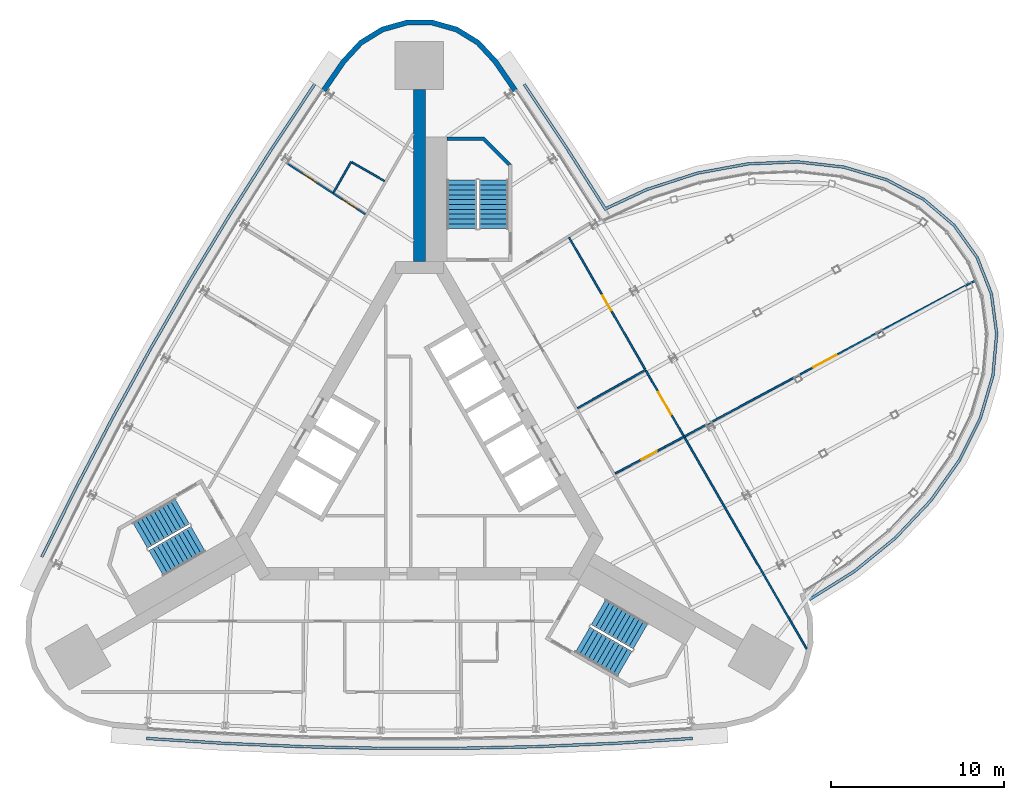
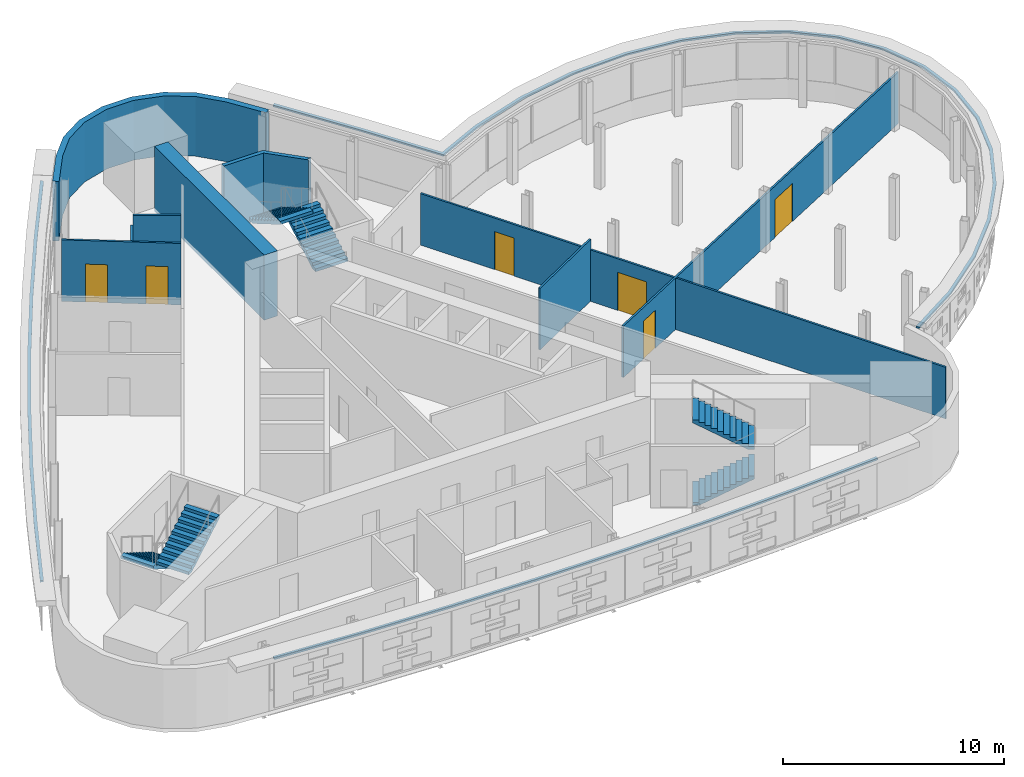
# One storey, part 12 of 15: 11 walls, 6 doors, 6 stair flights, 3 discrete accessories, 6 openings, 3 elements without a shape of their own.
"""IFC4 building model written with IfcOpenShell, lengths in metres."""

from ifc_helpers import new_model, si_unit, direction, frame, frame_2d, origin, place, context, subcontext, project, spatial, polyline, rectangle, outline, extrude, material, layer, layer_set, type_object, element, fill, aggregate, save


model = new_model("IFC4")

# Units and contexts
model_context = context("Model", 3, precision=1e-05, world=origin(), true_north=direction((0.0, 1.0)))
body_context = subcontext(model_context, "Body", "Model", "MODEL_VIEW")
ifc_project = project(units=[si_unit("LENGTHUNIT", "METRE"), si_unit("AREAUNIT", "SQUARE_METRE"), si_unit("VOLUMEUNIT", "CUBIC_METRE"), si_unit("PLANEANGLEUNIT", "RADIAN"), si_unit("MASSUNIT", "GRAM", prefix="KILO")], contexts=[model_context])

# Site, building, storey
site_placement = place(None, origin())
site = spatial("IfcSite", under=ifc_project, at=site_placement, CompositionType="ELEMENT")
building_placement = place(site_placement, origin())
building = spatial("IfcBuilding", under=site, at=building_placement, Name="Noor Cloister Tower", CompositionType="ELEMENT")
storey_placement = place(building_placement, frame((0.0, 0.0, 177.89990234375)))
storey = spatial("IfcBuildingStorey", under=building, at=storey_placement, Name="L45", CompositionType="ELEMENT", Elevation=177.89990234375)

# Walls
ifc_material_1 = material(Name="Concrete C70/85", Category="concrete")
ifc_layer_1 = layer(ifc_material_1, 0.699951171875)
ifc_layer_set_1 = layer_set([ifc_layer_1], Name="Buttress wall 700 C70/85")
wall_type_1 = type_object("IfcWallType", Name="Buttress wall 700 C70/85", PredefinedType="SHEAR", material=ifc_layer_set_1)
wall_1_placement = place(storey_placement, frame((0.0, 11.456298828125, -0.199951171875), z_axis=(0.0, 0.0, 1.0), x_axis=(0.0, 1.0, 0.0)))
element("IfcWall", 1, at=wall_1_placement, inside=storey, type_object=wall_type_1, Name="Buttress wall N L45", PredefinedType="SHEAR", context=body_context, shape_type="SweptSolid", body=[
    extrude(rectangle(XDim=9.927734375, YDim=0.699951171875, at=frame_2d((4.9638671875, 0.0))), origin(), (0.0, 0.0, 1.0), 3.60009765625),
])
ifc_material_2 = material(Name="Limestone", Category="masonry")
ifc_layer_2 = layer(ifc_material_2, 0.300048828125)
ifc_layer_set_2 = layer_set([ifc_layer_2], Name="Limestone cladding 300")
wall_type_2 = type_object("IfcWallType", Name="Limestone cladding 300", PredefinedType="NOTDEFINED", material=ifc_layer_set_2)
wall_2_placement = place(storey_placement, origin())
element("IfcWall", 2, at=wall_2_placement, inside=storey, type_object=wall_type_2, Name="Limestone pier cladding L45 3.1", PredefinedType="NOTDEFINED", context=body_context, shape_type="SweptSolid", body=[
    extrude(outline(polyline([(5.65234375, 21.43310546875), (4.496826171875, 23.113037109375), (3.47802734375, 24.2177734375), (2.197509765625, 25.00390625), (0.751220703125, 25.412353515625), (-0.751220703125, 25.412353515625), (-2.197509765625, 25.00390625), (-3.47802734375, 24.2177734375), (-4.496826171875, 23.113037109375), (-5.65234375, 21.43310546875), (-5.405029296875, 21.26318359375), (-4.26171875, 22.925537109375), (-3.28564453125, 23.98388671875), (-2.075927734375, 24.7265625), (-0.709716796875, 25.1123046875), (0.709716796875, 25.1123046875), (2.075927734375, 24.7265625), (3.28564453125, 23.98388671875), (4.26171875, 22.925537109375), (5.405029296875, 21.26318359375), (5.65234375, 21.43310546875)])), origin(), (0.0, 0.0, 1.0), 3.300048828125),
])

# Wall, openings, doors
ifc_material_3 = material(Name="Gypsum board partition on steel studs, 100 mm", Category="steel")
ifc_layer_3 = layer(ifc_material_3, 0.10009765625)
ifc_layer_set_3 = layer_set([ifc_layer_3], Name="Partition 100")
wall_type_3 = type_object("IfcWallType", Name="Partition 100", PredefinedType="PARTITIONING", material=ifc_layer_set_3)
wall_3_placement = place(storey_placement, frame((11.3115234375, -0.785888671875, 0.0), z_axis=(0.0, 0.0, 1.0), x_axis=(0.881471822947, 0.472236620087, 0.0)))
wall_3 = element("IfcWall", 3, at=wall_3_placement, inside=storey, type_object=wall_type_3, Name="Wall L45-W03", PredefinedType="PARTITIONING", context=body_context, shape_type="SweptSolid", body=[
    extrude(rectangle(XDim=23.611328125, YDim=0.10009765625, at=frame_2d((11.8056640625, 0.0))), origin(), (0.0, 0.0, 1.0), 2.84716796875),
])
opening_1_placement = place(wall_3_placement, frame((1.716064453125, 0.0, 0.0)))
opening_1 = element("IfcOpeningElement", 4, at=opening_1_placement, cuts=wall_3, Name="Opening L45-002", PredefinedType="OPENING", context=body_context, shape_type="SweptSolid", body=[
    extrude(rectangle(XDim=1.0, YDim=2.10009765625, at=frame_2d((0.5, 1.050048828125))), frame((0.0, 0.06005859375, 0.0), z_axis=(0.0, -1.0, 0.0), x_axis=(1.0, 0.0, 0.0)), (0.0, 0.0, 1.0), 0.1201171875),
])
opening_2_placement = place(wall_3_placement, frame((13.001953125, 0.0, 0.0)))
opening_2 = element("IfcOpeningElement", 5, at=opening_2_placement, cuts=wall_3, Name="Opening L45-003", PredefinedType="OPENING", context=body_context, shape_type="SweptSolid", body=[
    extrude(rectangle(XDim=1.5, YDim=2.10009765625, at=frame_2d((0.75, 1.050048828125))), frame((0.0, 0.06005859375, 0.0), z_axis=(0.0, -1.0, 0.0), x_axis=(1.0, 0.0, 0.0)), (0.0, 0.0, 1.0), 0.1201171875),
])
ifc_material_4 = material(Name="Timber door leaf with steel frame", Category="steel")
door_type_1 = type_object("IfcDoorType", Name="Double door 1500", OperationType="NOTDEFINED", PredefinedType="DOOR", material=ifc_material_4)
door_1_placement = place(opening_2_placement, origin())
door_1 = element("IfcDoor", 6, at=door_1_placement, inside=storey, type_object=door_type_1, Name="Door L45-003", OperationType="DOUBLE_DOOR_SINGLE_SWING", OverallHeight=2.10009765625, OverallWidth=1.5, PredefinedType="DOOR", context=body_context, shape_type="SweptSolid", body=[
    extrude(rectangle(XDim=1.5, YDim=2.10009765625, at=frame_2d((0.75, 1.050048828125))), frame((0.0, 0.02490234375, 0.0), z_axis=(0.0, -1.0, 0.0), x_axis=(1.0, 0.0, 0.0)), (0.0, 0.0, 1.0), 0.050048828125),
])
fill(opening_2, door_1)
ifc_material_5 = material(Name="Timber door leaf with steel frame", Category="steel")
door_type_2 = type_object("IfcDoorType", Name="Interior door 1000", OperationType="NOTDEFINED", PredefinedType="DOOR", material=ifc_material_5)
door_2_placement = place(opening_1_placement, origin())
door_2 = element("IfcDoor", 7, at=door_2_placement, inside=storey, type_object=door_type_2, Name="Door L45-002", OperationType="SINGLE_SWING_RIGHT", OverallHeight=2.10009765625, OverallWidth=1.0, PredefinedType="DOOR", context=body_context, shape_type="SweptSolid", body=[
    extrude(rectangle(XDim=1.0, YDim=2.10009765625, at=frame_2d((0.5, 1.050048828125))), frame((0.0, 0.02490234375, 0.0), z_axis=(0.0, -1.0, 0.0), x_axis=(1.0, 0.0, 0.0)), (0.0, 0.0, 1.0), 0.050048828125),
])
fill(opening_1, door_2)

# Walls
wall_4_placement = place(storey_placement, frame((9.132568359375, 2.988525390625, 0.0), z_axis=(0.0, 0.0, 1.0), x_axis=(0.871281573597, 0.490783475181, 0.0)))
element("IfcWall", 8, at=wall_4_placement, inside=storey, type_object=wall_type_3, Name="Wall L45-W04", PredefinedType="PARTITIONING", context=body_context, shape_type="SweptSolid", body=[
    extrude(rectangle(XDim=4.5048828125, YDim=0.10009765625, at=frame_2d((2.25244140625, 0.0))), origin(), (0.0, 0.0, 1.0), 3.400146484375),
])
wall_5_placement = place(storey_placement, frame((22.362548828125, -10.9169921875, 0.0), z_axis=(0.0, 0.0, 1.0), x_axis=(-0.500007103281, 0.866021302664, 0.0)))
element("IfcWall", 9, at=wall_5_placement, inside=storey, type_object=wall_type_3, Name="Wall L45-W05", PredefinedType="PARTITIONING", context=body_context, shape_type="SweptSolid", body=[
    extrude(rectangle(XDim=14.106201171875, YDim=0.10009765625, at=frame_2d((7.05322265625, 0.0))), origin(), (0.0, 0.0, 1.0), 2.84716796875),
])

# Wall, opening, door
wall_6_placement = place(storey_placement, frame((15.25927734375, 1.385986328125, 0.0), z_axis=(0.0, 0.0, 1.0), x_axis=(-0.499999150107, 0.86602589447, 0.0)))
wall_6 = element("IfcWall", 10, at=wall_6_placement, inside=storey, type_object=wall_type_3, Name="Wall L45-W06", PredefinedType="PARTITIONING", context=body_context, shape_type="SweptSolid", body=[
    extrude(rectangle(XDim=4.353515625, YDim=0.10009765625, at=frame_2d((2.1767578125, 0.0))), origin(), (0.0, 0.0, 1.0), 2.84716796875),
])
opening_3_placement = place(wall_6_placement, frame((1.4267578125, 0.0, 0.0)))
opening_3 = element("IfcOpeningElement", 11, at=opening_3_placement, cuts=wall_6, Name="Opening L45-004", PredefinedType="OPENING", context=body_context, shape_type="SweptSolid", body=[
    extrude(rectangle(XDim=1.5, YDim=2.10009765625, at=frame_2d((0.75, 1.050048828125))), frame((0.0, 0.06005859375, 0.0), z_axis=(0.0, -1.0, 0.0), x_axis=(1.0, 0.0, 0.0)), (0.0, 0.0, 1.0), 0.1201171875),
])
door_3_placement = place(opening_3_placement, origin())
door_3 = element("IfcDoor", 12, at=door_3_placement, inside=storey, type_object=door_type_1, Name="Door L45-004", OperationType="DOUBLE_DOOR_SINGLE_SWING", OverallHeight=2.10009765625, OverallWidth=1.5, PredefinedType="DOOR", context=body_context, shape_type="SweptSolid", body=[
    extrude(rectangle(XDim=1.5, YDim=2.10009765625, at=frame_2d((0.75, 1.050048828125))), frame((0.0, 0.02490234375, 0.0), z_axis=(0.0, -1.0, 0.0), x_axis=(1.0, 0.0, 0.0)), (0.0, 0.0, 1.0), 0.050048828125),
])
fill(opening_3, door_3)

wall_7_placement = place(storey_placement, frame((13.032470703125, 5.242919921875, 0.0), z_axis=(0.0, 0.0, 1.0), x_axis=(-0.499996840937, 0.866027227663, 0.0)))
wall_7 = element("IfcWall", 13, at=wall_7_placement, inside=storey, type_object=wall_type_3, Name="Wall L45-W07", PredefinedType="PARTITIONING", context=body_context, shape_type="SweptSolid", body=[
    extrude(rectangle(XDim=8.7802734375, YDim=0.10009765625, at=frame_2d((4.39013671875, 0.0))), origin(), (0.0, 0.0, 1.0), 2.84716796875),
])
opening_4_placement = place(wall_7_placement, frame((3.90283203125, 0.0, 0.0)))
opening_4 = element("IfcOpeningElement", 14, at=opening_4_placement, cuts=wall_7, Name="Opening L45-005", PredefinedType="OPENING", context=body_context, shape_type="SweptSolid", body=[
    extrude(rectangle(XDim=1.0, YDim=2.10009765625, at=frame_2d((0.5, 1.050048828125))), frame((0.0, 0.06005859375, 0.0), z_axis=(0.0, -1.0, 0.0), x_axis=(1.0, 0.0, 0.0)), (0.0, 0.0, 1.0), 0.1201171875),
])
door_4_placement = place(opening_4_placement, origin())
door_4 = element("IfcDoor", 15, at=door_4_placement, inside=storey, type_object=door_type_2, Name="Door L45-005", OperationType="SINGLE_SWING_LEFT", OverallHeight=2.10009765625, OverallWidth=1.0, PredefinedType="DOOR", context=body_context, shape_type="SweptSolid", body=[
    extrude(rectangle(XDim=1.0, YDim=2.10009765625, at=frame_2d((0.5, 1.050048828125))), frame((0.0, 0.02490234375, 0.0), z_axis=(0.0, -1.0, 0.0), x_axis=(1.0, 0.0, 0.0)), (0.0, 0.0, 1.0), 0.050048828125),
])
fill(opening_4, door_4)

# Wall, openings, doors
wall_8_placement = place(storey_placement, frame((-7.66552734375, 17.136474609375, 0.0), z_axis=(0.0, 0.0, 1.0), x_axis=(0.838353922252, -0.545126316595, 0.0)))
wall_8 = element("IfcWall", 16, at=wall_8_placement, inside=storey, type_object=wall_type_3, Name="Wall L45-W23", PredefinedType="PARTITIONING", context=body_context, shape_type="SweptSolid", body=[
    extrude(rectangle(XDim=5.4111328125, YDim=0.10009765625, at=frame_2d((2.70556640625, 0.0))), origin(), (0.0, 0.0, 1.0), 3.400146484375),
])
opening_5_placement = place(wall_8_placement, frame((1.091552734375, 0.0, 0.0)))
opening_5 = element("IfcOpeningElement", 17, at=opening_5_placement, cuts=wall_8, Name="Opening L45-016", PredefinedType="OPENING", context=body_context, shape_type="SweptSolid", body=[
    extrude(rectangle(XDim=1.0, YDim=2.10009765625, at=frame_2d((0.5, 1.050048828125))), frame((0.0, 0.06005859375, 0.0), z_axis=(0.0, -1.0, 0.0), x_axis=(1.0, 0.0, 0.0)), (0.0, 0.0, 1.0), 0.1201171875),
])
opening_6_placement = place(wall_8_placement, frame((3.834716796875, 0.0, 0.0)))
opening_6 = element("IfcOpeningElement", 18, at=opening_6_placement, cuts=wall_8, Name="Opening L45-017", PredefinedType="OPENING", context=body_context, shape_type="SweptSolid", body=[
    extrude(rectangle(XDim=1.0, YDim=2.10009765625, at=frame_2d((0.5, 1.050048828125))), frame((0.0, 0.06005859375, 0.0), z_axis=(0.0, -1.0, 0.0), x_axis=(1.0, 0.0, 0.0)), (0.0, 0.0, 1.0), 0.1201171875),
])
door_5_placement = place(opening_5_placement, origin())
door_5 = element("IfcDoor", 19, at=door_5_placement, inside=storey, type_object=door_type_2, Name="Door L45-016", OperationType="SINGLE_SWING_RIGHT", OverallHeight=2.10009765625, OverallWidth=1.0, PredefinedType="DOOR", context=body_context, shape_type="SweptSolid", body=[
    extrude(rectangle(XDim=1.0, YDim=2.10009765625, at=frame_2d((0.5, 1.050048828125))), frame((0.0, 0.02490234375, 0.0), z_axis=(0.0, -1.0, 0.0), x_axis=(1.0, 0.0, 0.0)), (0.0, 0.0, 1.0), 0.050048828125),
])
fill(opening_5, door_5)
door_6_placement = place(opening_6_placement, origin())
door_6 = element("IfcDoor", 20, at=door_6_placement, inside=storey, type_object=door_type_2, Name="Door L45-017", OperationType="SINGLE_SWING_LEFT", OverallHeight=2.10009765625, OverallWidth=1.0, PredefinedType="DOOR", context=body_context, shape_type="SweptSolid", body=[
    extrude(rectangle(XDim=1.0, YDim=2.10009765625, at=frame_2d((0.5, 1.050048828125))), frame((0.0, 0.02490234375, 0.0), z_axis=(0.0, -1.0, 0.0), x_axis=(1.0, 0.0, 0.0)), (0.0, 0.0, 1.0), 0.050048828125),
])
fill(opening_6, door_6)

# Walls
wall_9_placement = place(storey_placement, frame((-4.971923828125, 15.444580078125, 0.0), z_axis=(0.0, 0.0, 1.0), x_axis=(0.499956128963, 0.866050731258, 0.0)))
element("IfcWall", 21, at=wall_9_placement, inside=storey, type_object=wall_type_3, Name="Wall L45-W24", PredefinedType="PARTITIONING", context=body_context, shape_type="SweptSolid", body=[
    extrude(rectangle(XDim=2.050048828125, YDim=0.10009765625, at=frame_2d((1.02490234375, 0.0))), origin(), (0.0, 0.0, 1.0), 2.84716796875),
])
wall_10_placement = place(storey_placement, frame((-3.90380859375, 17.19482421875, 0.0), z_axis=(0.0, 0.0, 1.0), x_axis=(0.866065968399, -0.499929733443, 0.0)))
element("IfcWall", 22, at=wall_10_placement, inside=storey, type_object=wall_type_3, Name="Wall L45-W25", PredefinedType="PARTITIONING", context=body_context, shape_type="SweptSolid", body=[
    extrude(rectangle(XDim=2.175048828125, YDim=0.10009765625, at=frame_2d((1.08740234375, 0.0))), origin(), (0.0, 0.0, 1.0), 3.400146484375),
])
ifc_material_6 = material(Name="Concrete C70/85", Category="concrete")
wall_type_4 = type_object("IfcWallType", Name="Stair far end wall C70/85", PredefinedType="SHEAR", material=ifc_material_6)
wall_11_placement = place(storey_placement, frame((0.0, 0.0, -0.199951171875)))
element("IfcWall", 23, at=wall_11_placement, inside=storey, type_object=wall_type_4, Name="Stair enclosure wall ST1 L45 far end", PredefinedType="SHEAR", context=body_context, shape_type="SweptSolid", body=[
    extrude(outline(polyline([(5.335693359375, 17.056396484375), (3.735595703125, 18.656494140625), (1.585693359375, 18.656494140625), (1.585693359375, 18.456298828125), (3.65283203125, 18.456298828125), (5.135498046875, 16.9736328125), (5.135498046875, 17.056396484375), (5.135498046875, 17.056396484375), (5.135498046875, 17.056396484375), (5.135498046875, 17.056396484375), (5.135498046875, 17.056396484375), (5.135498046875, 17.056396484375), (5.135498046875, 17.056396484375), (5.135498046875, 17.056396484375), (5.135498046875, 17.056396484375), (5.135498046875, 17.056396484375), (5.135498046875, 17.056396484375), (5.135498046875, 17.056396484375), (5.135498046875, 17.056396484375), (5.135498046875, 17.056396484375), (5.135498046875, 17.056396484375), (5.135498046875, 17.056396484375), (5.135498046875, 17.056396484375), (5.335693359375, 17.056396484375)])), origin(), (0.0, 0.0, 1.0), 3.60009765625),
])

# Stair, stair flights
ifc_material_7 = material(Name="Concrete C40/50", Category="concrete")
stair_type = type_object("IfcStairType", Name="Exit stair 22 risers", PredefinedType="HALF_TURN_STAIR", material=ifc_material_7)
stair_1_placement = place(storey_placement, origin())
stair_1 = element("IfcStair", 24, at=stair_1_placement, inside=storey, type_object=stair_type, Name="Exit stair ST1 L45", PredefinedType="HALF_TURN_STAIR")
ifc_material_8 = material(Name="Concrete C40/50", Category="concrete")
stair_flight_type = type_object("IfcStairFlightType", Name="Exit stair flight", PredefinedType="STRAIGHT", material=ifc_material_8)
stair_flight_1_placement = place(storey_placement, frame((4.28564453125, 13.3564453125, 0.0), z_axis=(0.0, 0.0, 1.0), x_axis=(0.0, 1.0, 0.0)))
stair_flight_1 = element("IfcStairFlight", 25, at=stair_flight_1_placement, type_object=stair_flight_type, Name="ST1 flight 1", NumberOfRisers=11, NumberOfTreads=10, PredefinedType="STRAIGHT", RiserHeight=0.163636364, TreadLength=0.28, context=body_context, shape_type="SweptSolid", body=[
    extrude(outline(polyline([(0.0, 0.0), (0.0, 0.16357421875), (0.280029296875, 0.16357421875), (0.280029296875, 0.327392578125), (0.56005859375, 0.327392578125), (0.56005859375, 0.490966796875), (0.840087890625, 0.490966796875), (0.840087890625, 0.654541015625), (1.1201171875, 0.654541015625), (1.1201171875, 0.818115234375), (1.39990234375, 0.818115234375), (1.39990234375, 0.98193359375), (1.679931640625, 0.98193359375), (1.679931640625, 1.1455078125), (1.9599609375, 1.1455078125), (1.9599609375, 1.30908203125), (2.239990234375, 1.30908203125), (2.239990234375, 1.47265625), (2.52001953125, 1.47265625), (2.52001953125, 1.636474609375), (2.800048828125, 1.636474609375), (2.800048828125, 1.800048828125), (2.800048828125, 1.462646484375), (0.297119140625, 0.0), (0.0, 0.0)])), frame((0.0, 0.85009765625, 0.0), z_axis=(0.0, -1.0, 0.0), x_axis=(1.0, 0.0, 0.0)), (0.0, 0.0, 1.0), 1.699951171875),
])
stair_flight_2_placement = place(storey_placement, frame((2.435546875, 16.156494140625, 1.800048828125), z_axis=(0.0, 0.0, 1.0), x_axis=(0.0, -1.0, 0.0)))
stair_flight_2 = element("IfcStairFlight", 26, at=stair_flight_2_placement, type_object=stair_flight_type, Name="ST1 flight 2", NumberOfRisers=11, NumberOfTreads=10, PredefinedType="STRAIGHT", RiserHeight=0.163636364, TreadLength=0.28, context=body_context, shape_type="SweptSolid", body=[
    extrude(outline(polyline([(0.0, 0.0), (0.0, 0.16357421875), (0.280029296875, 0.16357421875), (0.280029296875, 0.327392578125), (0.56005859375, 0.327392578125), (0.56005859375, 0.490966796875), (0.840087890625, 0.490966796875), (0.840087890625, 0.654541015625), (1.1201171875, 0.654541015625), (1.1201171875, 0.818115234375), (1.39990234375, 0.818115234375), (1.39990234375, 0.98193359375), (1.679931640625, 0.98193359375), (1.679931640625, 1.1455078125), (1.9599609375, 1.1455078125), (1.9599609375, 1.30908203125), (2.239990234375, 1.30908203125), (2.239990234375, 1.47265625), (2.52001953125, 1.47265625), (2.52001953125, 1.636474609375), (2.800048828125, 1.636474609375), (2.800048828125, 1.800048828125), (2.800048828125, 1.462646484375), (0.297119140625, 0.0), (0.0, 0.0)])), frame((0.0, 0.85009765625, 0.0), z_axis=(0.0, -1.0, 0.0), x_axis=(1.0, 0.0, 0.0)), (0.0, 0.0, 1.0), 1.699951171875),
])
aggregate(stair_1, [stair_flight_1, stair_flight_2])

stair_2_placement = place(storey_placement, origin())
stair_2 = element("IfcStair", 27, at=stair_2_placement, inside=storey, type_object=stair_type, Name="Exit stair ST2 L45", PredefinedType="HALF_TURN_STAIR")
stair_flight_3_placement = place(storey_placement, frame((-13.709716796875, -2.966796875, 0.0), z_axis=(0.0, 0.0, 1.0), x_axis=(-0.866025403784, -0.5, 0.0)))
stair_flight_3 = element("IfcStairFlight", 28, at=stair_flight_3_placement, type_object=stair_flight_type, Name="ST2 flight 1", NumberOfRisers=11, NumberOfTreads=10, PredefinedType="STRAIGHT", RiserHeight=0.163636364, TreadLength=0.28, context=body_context, shape_type="SweptSolid", body=[
    extrude(outline(polyline([(0.0, 0.0), (0.0, 0.16357421875), (0.280029296875, 0.16357421875), (0.280029296875, 0.327392578125), (0.56005859375, 0.327392578125), (0.56005859375, 0.490966796875), (0.840087890625, 0.490966796875), (0.840087890625, 0.654541015625), (1.1201171875, 0.654541015625), (1.1201171875, 0.818115234375), (1.39990234375, 0.818115234375), (1.39990234375, 0.98193359375), (1.679931640625, 0.98193359375), (1.679931640625, 1.1455078125), (1.9599609375, 1.1455078125), (1.9599609375, 1.30908203125), (2.239990234375, 1.30908203125), (2.239990234375, 1.47265625), (2.52001953125, 1.47265625), (2.52001953125, 1.636474609375), (2.800048828125, 1.636474609375), (2.800048828125, 1.800048828125), (2.800048828125, 1.462646484375), (0.297119140625, 0.0), (0.0, 0.0)])), frame((0.0, 0.85009765625, 0.0), z_axis=(0.0, -1.0, 0.0), x_axis=(1.0, 0.0, 0.0)), (0.0, 0.0, 1.0), 1.699951171875),
])
stair_flight_4_placement = place(storey_placement, frame((-15.209716796875, -5.968994140625, 1.800048828125), z_axis=(0.0, 0.0, 1.0), x_axis=(0.866025403784, 0.5, 0.0)))
stair_flight_4 = element("IfcStairFlight", 29, at=stair_flight_4_placement, type_object=stair_flight_type, Name="ST2 flight 2", NumberOfRisers=11, NumberOfTreads=10, PredefinedType="STRAIGHT", RiserHeight=0.163636364, TreadLength=0.28, context=body_context, shape_type="SweptSolid", body=[
    extrude(outline(polyline([(0.0, 0.0), (0.0, 0.16357421875), (0.280029296875, 0.16357421875), (0.280029296875, 0.327392578125), (0.56005859375, 0.327392578125), (0.56005859375, 0.490966796875), (0.840087890625, 0.490966796875), (0.840087890625, 0.654541015625), (1.1201171875, 0.654541015625), (1.1201171875, 0.818115234375), (1.39990234375, 0.818115234375), (1.39990234375, 0.98193359375), (1.679931640625, 0.98193359375), (1.679931640625, 1.1455078125), (1.9599609375, 1.1455078125), (1.9599609375, 1.30908203125), (2.239990234375, 1.30908203125), (2.239990234375, 1.47265625), (2.52001953125, 1.47265625), (2.52001953125, 1.636474609375), (2.800048828125, 1.636474609375), (2.800048828125, 1.800048828125), (2.800048828125, 1.462646484375), (0.297119140625, 0.0), (0.0, 0.0)])), frame((0.0, 0.85009765625, 0.0), z_axis=(0.0, -1.0, 0.0), x_axis=(1.0, 0.0, 0.0)), (0.0, 0.0, 1.0), 1.699951171875),
])
aggregate(stair_2, [stair_flight_3, stair_flight_4])

stair_3_placement = place(storey_placement, origin())
stair_3 = element("IfcStair", 30, at=stair_3_placement, inside=storey, type_object=stair_type, Name="Exit stair ST3 L45", PredefinedType="HALF_TURN_STAIR")
stair_flight_5_placement = place(storey_placement, frame((9.424072265625, -10.3896484375, 0.0), z_axis=(0.0, 0.0, 1.0), x_axis=(0.866025403784, -0.5, 0.0)))
stair_flight_5 = element("IfcStairFlight", 31, at=stair_flight_5_placement, type_object=stair_flight_type, Name="ST3 flight 1", NumberOfRisers=11, NumberOfTreads=10, PredefinedType="STRAIGHT", RiserHeight=0.163636364, TreadLength=0.28, context=body_context, shape_type="SweptSolid", body=[
    extrude(outline(polyline([(0.0, 0.0), (0.0, 0.16357421875), (0.280029296875, 0.16357421875), (0.280029296875, 0.327392578125), (0.56005859375, 0.327392578125), (0.56005859375, 0.490966796875), (0.840087890625, 0.490966796875), (0.840087890625, 0.654541015625), (1.1201171875, 0.654541015625), (1.1201171875, 0.818115234375), (1.39990234375, 0.818115234375), (1.39990234375, 0.98193359375), (1.679931640625, 0.98193359375), (1.679931640625, 1.1455078125), (1.9599609375, 1.1455078125), (1.9599609375, 1.30908203125), (2.239990234375, 1.30908203125), (2.239990234375, 1.47265625), (2.52001953125, 1.47265625), (2.52001953125, 1.636474609375), (2.800048828125, 1.636474609375), (2.800048828125, 1.800048828125), (2.800048828125, 1.462646484375), (0.297119140625, 0.0), (0.0, 0.0)])), frame((0.0, 0.85009765625, 0.0), z_axis=(0.0, -1.0, 0.0), x_axis=(1.0, 0.0, 0.0)), (0.0, 0.0, 1.0), 1.699951171875),
])
stair_flight_6_placement = place(storey_placement, frame((12.77392578125, -10.1875, 1.800048828125), z_axis=(0.0, 0.0, 1.0), x_axis=(-0.866025403784, 0.5, 0.0)))
stair_flight_6 = element("IfcStairFlight", 32, at=stair_flight_6_placement, type_object=stair_flight_type, Name="ST3 flight 2", NumberOfRisers=11, NumberOfTreads=10, PredefinedType="STRAIGHT", RiserHeight=0.163636364, TreadLength=0.28, context=body_context, shape_type="SweptSolid", body=[
    extrude(outline(polyline([(0.0, 0.0), (0.0, 0.16357421875), (0.280029296875, 0.16357421875), (0.280029296875, 0.327392578125), (0.56005859375, 0.327392578125), (0.56005859375, 0.490966796875), (0.840087890625, 0.490966796875), (0.840087890625, 0.654541015625), (1.1201171875, 0.654541015625), (1.1201171875, 0.818115234375), (1.39990234375, 0.818115234375), (1.39990234375, 0.98193359375), (1.679931640625, 0.98193359375), (1.679931640625, 1.1455078125), (1.9599609375, 1.1455078125), (1.9599609375, 1.30908203125), (2.239990234375, 1.30908203125), (2.239990234375, 1.47265625), (2.52001953125, 1.47265625), (2.52001953125, 1.636474609375), (2.800048828125, 1.636474609375), (2.800048828125, 1.800048828125), (2.800048828125, 1.462646484375), (0.297119140625, 0.0), (0.0, 0.0)])), frame((0.0, 0.85009765625, 0.0), z_axis=(0.0, -1.0, 0.0), x_axis=(1.0, 0.0, 0.0)), (0.0, 0.0, 1.0), 1.699951171875),
])
aggregate(stair_3, [stair_flight_5, stair_flight_6])

# Discrete accessories
ifc_material_9 = material(Name="Stainless steel grade 316", Category="steel")
discrete_accessory_type = type_object("IfcDiscreteAccessoryType", Name="Stainless hanger rail", PredefinedType="BRACKET", material=ifc_material_9)
discrete_accessory_1_placement = place(storey_placement, frame((0.0, 0.0, 3.2001953125)))
element("IfcDiscreteAccessory", 33, at=discrete_accessory_1_placement, inside=storey, type_object=discrete_accessory_type, Name="Hanger rail L45", PredefinedType="BRACKET", context=body_context, shape_type="SweptSolid", body=[
    extrude(outline(polyline([(-6.118408203125, 21.743408203125), (-8.61474609375, 17.9921875), (-11.033935546875, 14.183837890625), (-13.3720703125, 10.3251953125), (-15.6279296875, 6.41796875), (-17.80078125, 2.4638671875), (-19.88916015625, -1.53564453125), (-21.8896484375, -5.572998046875), (-21.746337890625, -5.64404296875), (-19.746337890625, -1.608154296875), (-17.65966796875, 2.38818359375), (-15.488525390625, 6.33935546875), (-13.234375, 10.243896484375), (-10.89794921875, 14.099609375), (-8.48046875, 17.905029296875), (-5.9853515625, 21.65478515625), (-6.118408203125, 21.743408203125)])), origin(), (0.0, 0.0, 1.0), 0.099853515625),
])
discrete_accessory_2_placement = place(storey_placement, frame((0.0, 0.0, 3.2001953125)))
element("IfcDiscreteAccessory", 34, at=discrete_accessory_2_placement, inside=storey, type_object=discrete_accessory_type, Name="Hanger rail L45", PredefinedType="BRACKET", context=body_context, shape_type="SweptSolid", body=[
    extrude(outline(polyline([(-15.771240234375, -16.17041015625), (-11.2744140625, -16.45654296875), (-6.7666015625, -16.647705078125), (-2.255859375, -16.7431640625), (2.255859375, -16.7431640625), (6.7666015625, -16.647705078125), (11.2744140625, -16.45654296875), (15.771240234375, -16.17041015625), (15.760986328125, -16.0107421875), (11.265869140625, -16.296875), (6.761474609375, -16.48779296875), (2.254150390625, -16.583251953125), (-2.254150390625, -16.583251953125), (-6.761474609375, -16.48779296875), (-11.265869140625, -16.296875), (-15.760986328125, -16.0107421875), (-15.771240234375, -16.17041015625)])), origin(), (0.0, 0.0, 1.0), 0.099853515625),
])
discrete_accessory_3_placement = place(storey_placement, frame((0.0, 0.0, 3.2001953125)))
element("IfcDiscreteAccessory", 35, at=discrete_accessory_3_placement, inside=storey, type_object=discrete_accessory_type, Name="Hanger rail L45", PredefinedType="BRACKET", context=body_context, shape_type="SweptSolid", body=[
    extrude(outline(polyline([(22.561767578125, -8.136962890625), (25.1728515625, -6.50439453125), (27.55322265625, -4.566650390625), (29.603515625, -2.398193359375), (31.261962890625, -0.060302734375), (32.47705078125, 2.380126953125), (33.20849609375, 4.854248046875), (33.427001953125, 7.289306640625), (33.1181640625, 9.609619140625), (32.28515625, 11.73583984375), (30.954833984375, 13.592041015625), (29.176513671875, 15.1142578125), (27.0146484375, 16.25634765625), (24.541259765625, 16.989501953125), (21.832275390625, 17.29833984375), (18.968505859375, 17.1796875), (16.033447265625, 16.639892578125), (13.1123046875, 15.69775390625), (10.76708984375, 14.60400390625), (8.61474609375, 17.9921875), (6.118408203125, 21.743408203125), (5.9853515625, 21.65478515625), (8.48046875, 17.905029296875), (10.70751953125, 14.399658203125), (13.1708984375, 15.548583984375), (16.07275390625, 16.484619140625), (18.986572265625, 17.020263671875), (21.82666015625, 17.137939453125), (24.509033203125, 16.83203125), (26.9541015625, 16.107421875), (29.0859375, 14.98095703125), (30.8359375, 13.483154296875), (32.143310546875, 11.658935546875), (32.962158203125, 9.5693359375), (33.26611328125, 7.285888671875), (33.050537109375, 4.88427734375), (32.32763671875, 2.43896484375), (31.124267578125, 0.02197265625), (29.4794921875, -2.29638671875), (27.444091796875, -4.44921875), (25.07958984375, -6.3740234375), (22.47705078125, -8.00146484375), (22.561767578125, -8.136962890625)])), origin(), (0.0, 0.0, 1.0), 0.099853515625),
])

save(model, "model.ifc")
